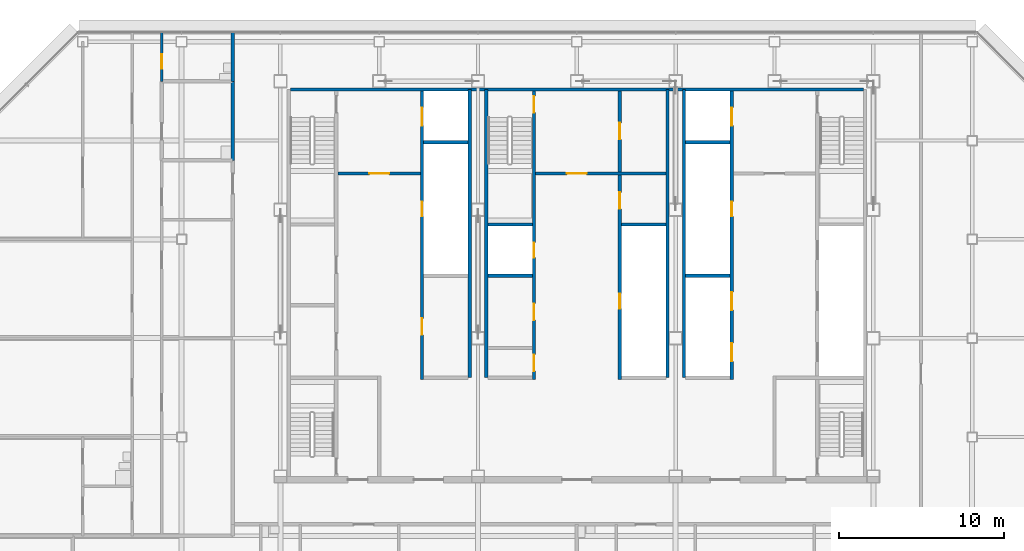
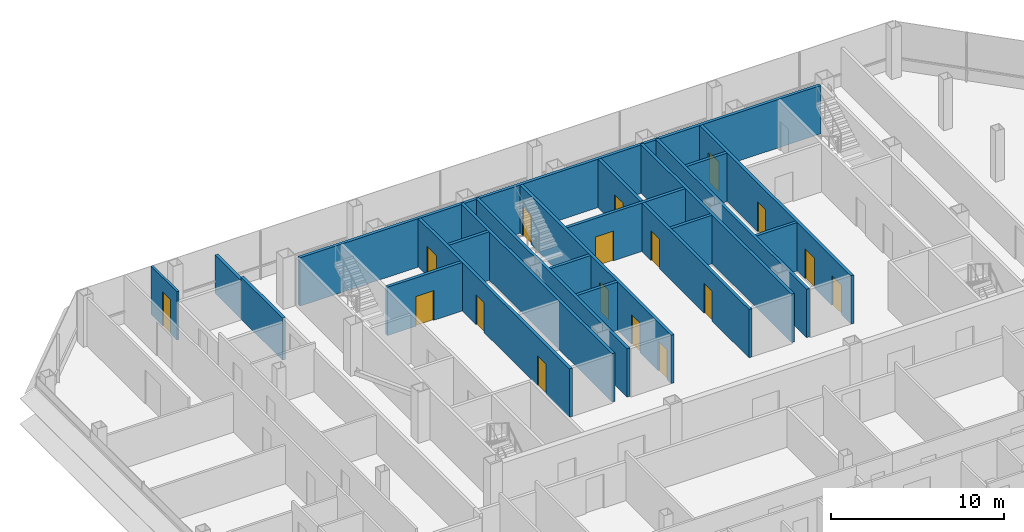
# One storey, part 23 of 27: 20 walls, 17 doors, 17 openings.
"""IFC4 building model written with IfcOpenShell, lengths in metres."""

from ifc_helpers import new_model, si_unit, direction, frame, frame_2d, origin, place, context, subcontext, project, spatial, rectangle, extrude, material, layer, layer_set, type_object, element, fill, save


model = new_model("IFC4")

# Units and contexts
model_context = context("Model", 3, precision=1e-05, world=origin(), true_north=direction((0.0, 1.0)))
body_context = subcontext(model_context, "Body", "Model", "MODEL_VIEW")
ifc_project = project(units=[si_unit("LENGTHUNIT", "METRE"), si_unit("AREAUNIT", "SQUARE_METRE"), si_unit("VOLUMEUNIT", "CUBIC_METRE"), si_unit("PLANEANGLEUNIT", "RADIAN"), si_unit("MASSUNIT", "GRAM", prefix="KILO")], contexts=[model_context])

# Site, building, storey
site_placement = place(None, origin())
site = spatial("IfcSite", under=ifc_project, at=site_placement, CompositionType="ELEMENT")
building_placement = place(site_placement, origin())
building = spatial("IfcBuilding", under=site, at=building_placement, Name="Sorahane Residences", CompositionType="ELEMENT")
storey_placement = place(building_placement, frame((0.0, 0.0, 226.199951171875)))
storey = spatial("IfcBuildingStorey", under=building, at=storey_placement, Name="L53", CompositionType="ELEMENT", Elevation=226.199951171875)

# Walls
ifc_material_1 = material(Name="Concrete C30", Category="concrete")
ifc_layer_1 = layer(ifc_material_1, 0.199951171875)
ifc_layer_set_1 = layer_set([ifc_layer_1], Name="Core face wall 200 EI 180")
wall_type_1 = type_object("IfcWallType", Name="Core face wall 200 EI 180", PredefinedType="SOLIDWALL", material=ifc_layer_set_1)
wall_1_placement = place(storey_placement, frame((6.60009765625, 45.10009765625, 0.0), z_axis=(0.0, 0.0, 1.0), x_axis=(1.0, 0.0, 0.0)))
element("IfcWall", 1, at=wall_1_placement, inside=storey, type_object=wall_type_1, Name="L53 core face wall", PredefinedType="SOLIDWALL", context=body_context, shape_type="SweptSolid", body=[
    extrude(rectangle(XDim=34.7998046875, YDim=0.199951171875, at=frame_2d((17.39990234375, 0.0))), origin(), (0.0, 0.0, 1.0), 3.420166015625),
])
for number, where, z_axis, x_axis, name in (
    (2, (17.5, 27.60009765625, 0.0), (0.0, 0.0, 1.0), (0.0, 1.0, 0.0), "L53 core face wall"),
    (3, (18.5, 27.60009765625, 0.0), (0.0, 0.0, 1.0), (0.0, 1.0, 0.0), "L53 core face wall"),
    (4, (29.5, 27.60009765625, 0.0), (0.0, 0.0, 1.0), (0.0, 1.0, 0.0), "L53 core face wall"),
    (5, (30.5, 27.60009765625, 0.0), (0.0, 0.0, 1.0), (0.0, 1.0, 0.0), "L53 core face wall"),
):
    element("IfcWall", number, at=place(storey_placement, frame(where, z_axis=z_axis, x_axis=x_axis)), inside=storey, type_object=wall_type_1, Name=name, PredefinedType="SOLIDWALL", context=body_context, shape_type="SweptSolid", body=[
        extrude(rectangle(XDim=17.5, YDim=0.199951171875, at=frame_2d((8.75, 0.0))), origin(), (0.0, 0.0, 1.0), 3.420166015625),
    ])
ifc_material_2 = material(Name="Concrete blockwork C20 wall", Category="masonry")
ifc_layer_2 = layer(ifc_material_2, 0.199951171875)
ifc_layer_set_2 = layer_set([ifc_layer_2], Name="Corridor wall 200 EI 120")
wall_type_2 = type_object("IfcWallType", Name="Corridor wall 200 EI 120", PredefinedType="SOLIDWALL", material=ifc_layer_set_2)
wall_2_placement = place(storey_placement, frame((3.10009765625, 45.60009765625, 0.0), z_axis=(0.0, 0.0, 1.0), x_axis=(0.0, 1.0, 0.0)))
element("IfcWall", 6, at=wall_2_placement, inside=storey, type_object=wall_type_2, Name="L53 corridor wall", PredefinedType="SOLIDWALL", context=body_context, shape_type="SweptSolid", body=[
    extrude(rectangle(XDim=3.0, YDim=0.199951171875, at=frame_2d((1.5, 0.0))), origin(), (0.0, 0.0, 1.0), 2.719970703125),
])

# Wall, opening, door
ifc_material_3 = material(Name="Concrete C30", Category="concrete")
ifc_layer_3 = layer(ifc_material_3, 0.199951171875)
ifc_layer_set_3 = layer_set([ifc_layer_3], Name="Front room wall 200 EI 120")
wall_type_3 = type_object("IfcWallType", Name="Front room wall 200 EI 120", PredefinedType="PARTITIONING", material=ifc_layer_set_3)
wall_3_placement = place(storey_placement, frame((21.5, 40.0, 0.0), z_axis=(0.0, 0.0, 1.0), x_axis=(1.0, 0.0, 0.0)))
wall_3 = element("IfcWall", 7, at=wall_3_placement, inside=storey, type_object=wall_type_3, Name="L53 front room wall", PredefinedType="PARTITIONING", context=body_context, shape_type="SweptSolid", body=[
    extrude(rectangle(XDim=7.89990234375, YDim=0.199951171875, at=frame_2d((3.949951171875, 0.0))), origin(), (0.0, 0.0, 1.0), 3.420166015625),
])
opening_1_placement = place(wall_3_placement, frame((1.89990234375, 0.0, 0.0)))
opening_1 = element("IfcOpeningElement", 8, at=opening_1_placement, cuts=wall_3, Name="Opening L53-C07", PredefinedType="OPENING", context=body_context, shape_type="SweptSolid", body=[
    extrude(rectangle(XDim=1.199951171875, YDim=2.10009765625, at=frame_2d((0.60009765625, 1.050048828125))), frame((0.0, 0.10986328125, 0.0), z_axis=(0.0, -1.0, 0.0), x_axis=(1.0, 0.0, 0.0)), (0.0, 0.0, 1.0), 0.219970703125),
])
ifc_material_4 = material(Name="Steel", Category="steel")
door_type_1 = type_object("IfcDoorType", Name="Front room door 1200x2100 FD120", OperationType="NOTDEFINED", PredefinedType="DOOR", material=ifc_material_4)
door_1_placement = place(opening_1_placement, frame((1.199951171875, 0.0, 0.0), z_axis=(0.0, 0.0, 1.0), x_axis=(-1.0, 0.0, 0.0)))
door_1 = element("IfcDoor", 9, at=door_1_placement, inside=storey, type_object=door_type_1, Name="Front room door Stair S3 vestibule L53", OperationType="DOUBLE_DOOR_SINGLE_SWING", OverallHeight=2.10009765625, OverallWidth=1.199951171875, PredefinedType="DOOR", context=body_context, shape_type="SweptSolid", body=[
    extrude(rectangle(XDim=1.199951171875, YDim=2.10009765625, at=frame_2d((0.60009765625, 1.050048828125))), frame((0.0, 0.02490234375, 0.0), z_axis=(0.0, -1.0, 0.0), x_axis=(1.0, 0.0, 0.0)), (0.0, 0.0, 1.0), 0.050048828125),
])
fill(opening_1, door_1)

wall_4_placement = place(storey_placement, frame((9.5, 40.0, 0.0), z_axis=(0.0, 0.0, 1.0), x_axis=(1.0, 0.0, 0.0)))
wall_4 = element("IfcWall", 10, at=wall_4_placement, inside=storey, type_object=wall_type_3, Name="L53 front room wall", PredefinedType="PARTITIONING", context=body_context, shape_type="SweptSolid", body=[
    extrude(rectangle(XDim=5.0, YDim=0.199951171875, at=frame_2d((2.5, 0.0))), origin(), (0.0, 0.0, 1.0), 3.420166015625),
])
opening_2_placement = place(wall_4_placement, frame((1.89990234375, 0.0, 0.0)))
opening_2 = element("IfcOpeningElement", 11, at=opening_2_placement, cuts=wall_4, Name="Opening L53-C06", PredefinedType="OPENING", context=body_context, shape_type="SweptSolid", body=[
    extrude(rectangle(XDim=1.199951171875, YDim=2.10009765625, at=frame_2d((0.60009765625, 1.050048828125))), frame((0.0, 0.10986328125, 0.0), z_axis=(0.0, -1.0, 0.0), x_axis=(1.0, 0.0, 0.0)), (0.0, 0.0, 1.0), 0.219970703125),
])
door_2_placement = place(opening_2_placement, frame((1.199951171875, 0.0, 0.0), z_axis=(0.0, 0.0, 1.0), x_axis=(-1.0, 0.0, 0.0)))
door_2 = element("IfcDoor", 12, at=door_2_placement, inside=storey, type_object=door_type_1, Name="Front room door Firefighting lobby FF1 front room L53", OperationType="DOUBLE_DOOR_SINGLE_SWING", OverallHeight=2.10009765625, OverallWidth=1.199951171875, PredefinedType="DOOR", context=body_context, shape_type="SweptSolid", body=[
    extrude(rectangle(XDim=1.199951171875, YDim=2.10009765625, at=frame_2d((0.60009765625, 1.050048828125))), frame((0.0, 0.02490234375, 0.0), z_axis=(0.0, -1.0, 0.0), x_axis=(1.0, 0.0, 0.0)), (0.0, 0.0, 1.0), 0.050048828125),
])
fill(opening_2, door_2)

# Wall
ifc_material_5 = material(Name="Concrete blockwork C20 wall", Category="masonry")
ifc_layer_4 = layer(ifc_material_5, 0.199951171875)
ifc_layer_set_4 = layer_set([ifc_layer_4], Name="Kitchen wall 200 EI 180")
wall_type_4 = type_object("IfcWallType", Name="Kitchen wall 200 EI 180", PredefinedType="SOLIDWALL", material=ifc_layer_set_4)
wall_5_placement = place(storey_placement, frame((3.10009765625, 40.800048828125, 0.0), z_axis=(0.0, 0.0, 1.0), x_axis=(0.0, 1.0, 0.0)))
element("IfcWall", 13, at=wall_5_placement, inside=storey, type_object=wall_type_4, Name="L53 kitchen wall", PredefinedType="SOLIDWALL", context=body_context, shape_type="SweptSolid", body=[
    extrude(rectangle(XDim=4.800048828125, YDim=0.199951171875, at=frame_2d((2.39990234375, 0.0))), origin(), (0.0, 0.0, 1.0), 2.969970703125),
])

# Wall, openings, doors
ifc_material_6 = material(Name="Concrete C30", Category="concrete")
ifc_layer_5 = layer(ifc_material_6, 0.199951171875)
ifc_layer_set_5 = layer_set([ifc_layer_5], Name="Lift shaft wall 200 EI 120")
wall_type_5 = type_object("IfcWallType", Name="Lift shaft wall 200 EI 120", PredefinedType="SOLIDWALL", material=ifc_layer_set_5)
wall_6_placement = place(storey_placement, frame((14.60009765625, 27.5, 0.0), z_axis=(0.0, 0.0, 1.0), x_axis=(0.0, 1.0, 0.0)))
wall_6 = element("IfcWall", 14, at=wall_6_placement, inside=storey, type_object=wall_type_5, Name="L53 lift shaft wall", PredefinedType="SOLIDWALL", context=body_context, shape_type="SweptSolid", body=[
    extrude(rectangle(XDim=17.5, YDim=0.199951171875, at=frame_2d((8.75, 0.0))), origin(), (0.0, 0.0, 1.0), 3.420166015625),
])
opening_3_placement = place(wall_6_placement, frame((15.39990234375, 0.0, 0.0)))
opening_3 = element("IfcOpeningElement", 15, at=opening_3_placement, cuts=wall_6, Name="Opening L53-C15", PredefinedType="OPENING", context=body_context, shape_type="SweptSolid", body=[
    extrude(rectangle(XDim=1.10009765625, YDim=2.10009765625, at=frame_2d((0.550048828125, 1.050048828125))), frame((0.0, 0.10986328125, 0.0), z_axis=(0.0, -1.0, 0.0), x_axis=(1.0, 0.0, 0.0)), (0.0, 0.0, 1.0), 0.219970703125),
])
opening_4_placement = place(wall_6_placement, frame((2.699951171875, 0.0, 0.0)))
opening_4 = element("IfcOpeningElement", 16, at=opening_4_placement, cuts=wall_6, Name="Opening L53-C18", PredefinedType="OPENING", context=body_context, shape_type="SweptSolid", body=[
    extrude(rectangle(XDim=1.0, YDim=2.10009765625, at=frame_2d((0.5, 1.050048828125))), frame((0.0, 0.10986328125, 0.0), z_axis=(0.0, -1.0, 0.0), x_axis=(1.0, 0.0, 0.0)), (0.0, 0.0, 1.0), 0.219970703125),
])
opening_5_placement = place(wall_6_placement, frame((9.89990234375, 0.0, 0.0)))
opening_5 = element("IfcOpeningElement", 17, at=opening_5_placement, cuts=wall_6, Name="Opening L53-C26", PredefinedType="OPENING", context=body_context, shape_type="SweptSolid", body=[
    extrude(rectangle(XDim=0.89990234375, YDim=2.10009765625, at=frame_2d((0.449951171875, 1.050048828125))), frame((0.0, 0.10986328125, 0.0), z_axis=(0.0, -1.0, 0.0), x_axis=(1.0, 0.0, 0.0)), (0.0, 0.0, 1.0), 0.219970703125),
])
ifc_material_7 = material(Name="Aluminium and stainless steel", Category="steel")
door_type_2 = type_object("IfcDoorType", Name="Lift landing door 1100x2100 E 60", OperationType="NOTDEFINED", PredefinedType="DOOR", material=ifc_material_7)
door_3_placement = place(opening_3_placement, origin())
door_3 = element("IfcDoor", 18, at=door_3_placement, inside=storey, type_object=door_type_2, Name="Lift landing door FF1 L53", OperationType="DOUBLE_DOOR_SLIDING", OverallHeight=2.10009765625, OverallWidth=1.10009765625, PredefinedType="DOOR", context=body_context, shape_type="SweptSolid", body=[
    extrude(rectangle(XDim=1.10009765625, YDim=2.10009765625, at=frame_2d((0.550048828125, 1.050048828125))), frame((0.0, 0.02490234375, 0.0), z_axis=(0.0, -1.0, 0.0), x_axis=(1.0, 0.0, 0.0)), (0.0, 0.0, 1.0), 0.050048828125),
])
fill(opening_3, door_3)
ifc_material_8 = material(Name="Steel", Category="steel")
door_type_3 = type_object("IfcDoorType", Name="Riser door 900x2100 FD120", OperationType="NOTDEFINED", PredefinedType="DOOR", material=ifc_material_8)
door_4_placement = place(opening_5_placement, origin())
door_4 = element("IfcDoor", 19, at=door_4_placement, inside=storey, type_object=door_type_3, Name="Riser door R1 L53", OperationType="SINGLE_SWING_LEFT", OverallHeight=2.10009765625, OverallWidth=0.89990234375, PredefinedType="DOOR", context=body_context, shape_type="SweptSolid", body=[
    extrude(rectangle(XDim=0.89990234375, YDim=2.10009765625, at=frame_2d((0.449951171875, 1.050048828125))), frame((0.0, 0.02490234375, 0.0), z_axis=(0.0, -1.0, 0.0), x_axis=(1.0, 0.0, 0.0)), (0.0, 0.0, 1.0), 0.050048828125),
])
fill(opening_5, door_4)
ifc_material_9 = material(Name="Steel", Category="steel")
door_type_4 = type_object("IfcDoorType", Name="Service room door 1000x2100 FD60", OperationType="NOTDEFINED", PredefinedType="DOOR", material=ifc_material_9)
door_5_placement = place(opening_4_placement, frame((1.0, 0.0, 0.0), z_axis=(0.0, 0.0, 1.0), x_axis=(-1.0, 0.0, 0.0)))
door_5 = element("IfcDoor", 20, at=door_5_placement, inside=storey, type_object=door_type_4, Name="Service room door Tea room L53", OperationType="SINGLE_SWING_RIGHT", OverallHeight=2.10009765625, OverallWidth=1.0, PredefinedType="DOOR", context=body_context, shape_type="SweptSolid", body=[
    extrude(rectangle(XDim=1.0, YDim=2.10009765625, at=frame_2d((0.5, 1.050048828125))), frame((0.0, 0.02490234375, 0.0), z_axis=(0.0, -1.0, 0.0), x_axis=(1.0, 0.0, 0.0)), (0.0, 0.0, 1.0), 0.050048828125),
])
fill(opening_4, door_5)

wall_7_placement = place(storey_placement, frame((33.39990234375, 27.5, 0.0), z_axis=(0.0, 0.0, 1.0), x_axis=(0.0, 1.0, 0.0)))
wall_7 = element("IfcWall", 21, at=wall_7_placement, inside=storey, type_object=wall_type_5, Name="L53 lift shaft wall", PredefinedType="SOLIDWALL", context=body_context, shape_type="SweptSolid", body=[
    extrude(rectangle(XDim=17.5, YDim=0.199951171875, at=frame_2d((8.75, 0.0))), origin(), (0.0, 0.0, 1.0), 3.420166015625),
])
opening_6_placement = place(wall_7_placement, frame((1.10009765625, 0.0, 0.0)))
opening_6 = element("IfcOpeningElement", 22, at=opening_6_placement, cuts=wall_7, Name="Opening L53-C12", PredefinedType="OPENING", context=body_context, shape_type="SweptSolid", body=[
    extrude(rectangle(XDim=1.10009765625, YDim=2.10009765625, at=frame_2d((0.550048828125, 1.050048828125))), frame((0.0, 0.10986328125, 0.0), z_axis=(0.0, -1.0, 0.0), x_axis=(1.0, 0.0, 0.0)), (0.0, 0.0, 1.0), 0.219970703125),
])
opening_7_placement = place(wall_7_placement, frame((4.199951171875, 0.0, 0.0)))
opening_7 = element("IfcOpeningElement", 23, at=opening_7_placement, cuts=wall_7, Name="Opening L53-C13", PredefinedType="OPENING", context=body_context, shape_type="SweptSolid", body=[
    extrude(rectangle(XDim=1.10009765625, YDim=2.10009765625, at=frame_2d((0.550048828125, 1.050048828125))), frame((0.0, 0.10986328125, 0.0), z_axis=(0.0, -1.0, 0.0), x_axis=(1.0, 0.0, 0.0)), (0.0, 0.0, 1.0), 0.219970703125),
])
opening_8_placement = place(wall_7_placement, frame((15.39990234375, 0.0, 0.0)))
opening_8 = element("IfcOpeningElement", 24, at=opening_8_placement, cuts=wall_7, Name="Opening L53-C14", PredefinedType="OPENING", context=body_context, shape_type="SweptSolid", body=[
    extrude(rectangle(XDim=1.10009765625, YDim=2.10009765625, at=frame_2d((0.550048828125, 1.050048828125))), frame((0.0, 0.10986328125, 0.0), z_axis=(0.0, -1.0, 0.0), x_axis=(1.0, 0.0, 0.0)), (0.0, 0.0, 1.0), 0.219970703125),
])
opening_9_placement = place(wall_7_placement, frame((9.89990234375, 0.0, 0.0)))
opening_9 = element("IfcOpeningElement", 25, at=opening_9_placement, cuts=wall_7, Name="Opening L53-C27", PredefinedType="OPENING", context=body_context, shape_type="SweptSolid", body=[
    extrude(rectangle(XDim=0.89990234375, YDim=2.10009765625, at=frame_2d((0.449951171875, 1.050048828125))), frame((0.0, 0.10986328125, 0.0), z_axis=(0.0, -1.0, 0.0), x_axis=(1.0, 0.0, 0.0)), (0.0, 0.0, 1.0), 0.219970703125),
])
door_6_placement = place(opening_6_placement, origin())
door_6 = element("IfcDoor", 26, at=door_6_placement, inside=storey, type_object=door_type_2, Name="Lift landing door HR4 L53", OperationType="DOUBLE_DOOR_SLIDING", OverallHeight=2.10009765625, OverallWidth=1.10009765625, PredefinedType="DOOR", context=body_context, shape_type="SweptSolid", body=[
    extrude(rectangle(XDim=1.10009765625, YDim=2.10009765625, at=frame_2d((0.550048828125, 1.050048828125))), frame((0.0, 0.02490234375, 0.0), z_axis=(0.0, -1.0, 0.0), x_axis=(1.0, 0.0, 0.0)), (0.0, 0.0, 1.0), 0.050048828125),
])
fill(opening_6, door_6)
door_7_placement = place(opening_7_placement, origin())
door_7 = element("IfcDoor", 27, at=door_7_placement, inside=storey, type_object=door_type_2, Name="Lift landing door HR5 L53", OperationType="DOUBLE_DOOR_SLIDING", OverallHeight=2.10009765625, OverallWidth=1.10009765625, PredefinedType="DOOR", context=body_context, shape_type="SweptSolid", body=[
    extrude(rectangle(XDim=1.10009765625, YDim=2.10009765625, at=frame_2d((0.550048828125, 1.050048828125))), frame((0.0, 0.02490234375, 0.0), z_axis=(0.0, -1.0, 0.0), x_axis=(1.0, 0.0, 0.0)), (0.0, 0.0, 1.0), 0.050048828125),
])
fill(opening_7, door_7)
door_8_placement = place(opening_8_placement, origin())
door_8 = element("IfcDoor", 28, at=door_8_placement, inside=storey, type_object=door_type_2, Name="Lift landing door FF2 L53", OperationType="DOUBLE_DOOR_SLIDING", OverallHeight=2.10009765625, OverallWidth=1.10009765625, PredefinedType="DOOR", context=body_context, shape_type="SweptSolid", body=[
    extrude(rectangle(XDim=1.10009765625, YDim=2.10009765625, at=frame_2d((0.550048828125, 1.050048828125))), frame((0.0, 0.02490234375, 0.0), z_axis=(0.0, -1.0, 0.0), x_axis=(1.0, 0.0, 0.0)), (0.0, 0.0, 1.0), 0.050048828125),
])
fill(opening_8, door_8)
door_9_placement = place(opening_9_placement, frame((0.89990234375, 0.0, 0.0), z_axis=(0.0, 0.0, 1.0), x_axis=(-1.0, 0.0, 0.0)))
door_9 = element("IfcDoor", 29, at=door_9_placement, inside=storey, type_object=door_type_3, Name="Riser door R2 L53", OperationType="SINGLE_SWING_LEFT", OverallHeight=2.10009765625, OverallWidth=0.89990234375, PredefinedType="DOOR", context=body_context, shape_type="SweptSolid", body=[
    extrude(rectangle(XDim=0.89990234375, YDim=2.10009765625, at=frame_2d((0.449951171875, 1.050048828125))), frame((0.0, 0.02490234375, 0.0), z_axis=(0.0, -1.0, 0.0), x_axis=(1.0, 0.0, 0.0)), (0.0, 0.0, 1.0), 0.050048828125),
])
fill(opening_9, door_9)

# Walls
for number, where, z_axis, x_axis, name in (
    (30, (30.60009765625, 33.800048828125, 0.0), (0.0, 0.0, 1.0), (1.0, 0.0, 0.0), "L53 lift shaft wall"),
    (31, (14.699951171875, 41.89990234375, 0.0), (0.0, 0.0, 1.0), (1.0, 0.0, 0.0), "L53 lift shaft wall"),
    (32, (30.60009765625, 41.89990234375, 0.0), (0.0, 0.0, 1.0), (1.0, 0.0, 0.0), "L53 lift shaft wall"),
):
    element("IfcWall", number, at=place(storey_placement, frame(where, z_axis=z_axis, x_axis=x_axis)), inside=storey, type_object=wall_type_5, Name=name, PredefinedType="SOLIDWALL", context=body_context, shape_type="SweptSolid", body=[
        extrude(rectangle(XDim=2.699951171875, YDim=0.199951171875, at=frame_2d((1.35009765625, 0.0))), origin(), (0.0, 0.0, 1.0), 3.420166015625),
    ])

# Wall, openings, doors
ifc_material_10 = material(Name="Concrete C30", Category="concrete")
ifc_layer_6 = layer(ifc_material_10, 0.199951171875)
ifc_layer_set_6 = layer_set([ifc_layer_6], Name="Riser shaft wall 200 EI 120")
wall_type_6 = type_object("IfcWallType", Name="Riser shaft wall 200 EI 120", PredefinedType="SOLIDWALL", material=ifc_layer_set_6)
wall_8_placement = place(storey_placement, frame((26.60009765625, 27.5, 0.0), z_axis=(0.0, 0.0, 1.0), x_axis=(0.0, 1.0, 0.0)))
wall_8 = element("IfcWall", 33, at=wall_8_placement, inside=storey, type_object=wall_type_6, Name="L53 riser wall", PredefinedType="SOLIDWALL", context=body_context, shape_type="SweptSolid", body=[
    extrude(rectangle(XDim=17.5, YDim=0.199951171875, at=frame_2d((8.75, 0.0))), origin(), (0.0, 0.0, 1.0), 3.420166015625),
])
opening_10_placement = place(wall_8_placement, frame((4.300048828125, 0.0, 0.0)))
opening_10 = element("IfcOpeningElement", 34, at=opening_10_placement, cuts=wall_8, Name="Opening L53-C29", PredefinedType="OPENING", context=body_context, shape_type="SweptSolid", body=[
    extrude(rectangle(XDim=0.89990234375, YDim=2.10009765625, at=frame_2d((0.449951171875, 1.050048828125))), frame((0.0, 0.10986328125, 0.0), z_axis=(0.0, -1.0, 0.0), x_axis=(1.0, 0.0, 0.0)), (0.0, 0.0, 1.0), 0.219970703125),
])
opening_11_placement = place(wall_8_placement, frame((10.35009765625, 0.0, 0.0)))
opening_11 = element("IfcOpeningElement", 35, at=opening_11_placement, cuts=wall_8, Name="Opening L53-C30", PredefinedType="OPENING", context=body_context, shape_type="SweptSolid", body=[
    extrude(rectangle(XDim=1.0, YDim=2.10009765625, at=frame_2d((0.5, 1.050048828125))), frame((0.0, 0.10986328125, 0.0), z_axis=(0.0, -1.0, 0.0), x_axis=(1.0, 0.0, 0.0)), (0.0, 0.0, 1.0), 0.219970703125),
])
opening_12_placement = place(wall_8_placement, frame((14.574951171875, 0.0, 0.0)))
opening_12 = element("IfcOpeningElement", 36, at=opening_12_placement, cuts=wall_8, Name="Opening L53-C31", PredefinedType="OPENING", context=body_context, shape_type="SweptSolid", body=[
    extrude(rectangle(XDim=1.0, YDim=2.10009765625, at=frame_2d((0.5, 1.050048828125))), frame((0.0, 0.10986328125, 0.0), z_axis=(0.0, -1.0, 0.0), x_axis=(1.0, 0.0, 0.0)), (0.0, 0.0, 1.0), 0.219970703125),
])
door_10_placement = place(opening_10_placement, origin())
door_10 = element("IfcDoor", 37, at=door_10_placement, inside=storey, type_object=door_type_3, Name="Riser door R4 L53", OperationType="SINGLE_SWING_LEFT", OverallHeight=2.10009765625, OverallWidth=0.89990234375, PredefinedType="DOOR", context=body_context, shape_type="SweptSolid", body=[
    extrude(rectangle(XDim=0.89990234375, YDim=2.10009765625, at=frame_2d((0.449951171875, 1.050048828125))), frame((0.0, 0.02490234375, 0.0), z_axis=(0.0, -1.0, 0.0), x_axis=(1.0, 0.0, 0.0)), (0.0, 0.0, 1.0), 0.050048828125),
])
fill(opening_10, door_10)
door_11_placement = place(opening_11_placement, frame((1.0, 0.0, 0.0), z_axis=(0.0, 0.0, 1.0), x_axis=(-1.0, 0.0, 0.0)))
door_11 = element("IfcDoor", 38, at=door_11_placement, inside=storey, type_object=door_type_4, Name="Service room door Linen room L53", OperationType="SINGLE_SWING_LEFT", OverallHeight=2.10009765625, OverallWidth=1.0, PredefinedType="DOOR", context=body_context, shape_type="SweptSolid", body=[
    extrude(rectangle(XDim=1.0, YDim=2.10009765625, at=frame_2d((0.5, 1.050048828125))), frame((0.0, 0.02490234375, 0.0), z_axis=(0.0, -1.0, 0.0), x_axis=(1.0, 0.0, 0.0)), (0.0, 0.0, 1.0), 0.050048828125),
])
fill(opening_11, door_11)
door_12_placement = place(opening_12_placement, frame((1.0, 0.0, 0.0), z_axis=(0.0, 0.0, 1.0), x_axis=(-1.0, 0.0, 0.0)))
door_12 = element("IfcDoor", 39, at=door_12_placement, inside=storey, type_object=door_type_4, Name="Service room door Cleaners' store L53", OperationType="SINGLE_SWING_LEFT", OverallHeight=2.10009765625, OverallWidth=1.0, PredefinedType="DOOR", context=body_context, shape_type="SweptSolid", body=[
    extrude(rectangle(XDim=1.0, YDim=2.10009765625, at=frame_2d((0.5, 1.050048828125))), frame((0.0, 0.02490234375, 0.0), z_axis=(0.0, -1.0, 0.0), x_axis=(1.0, 0.0, 0.0)), (0.0, 0.0, 1.0), 0.050048828125),
])
fill(opening_12, door_12)

# Walls
for number, where, z_axis, x_axis, name in (
    (40, (18.60009765625, 33.800048828125, 0.0), (0.0, 0.0, 1.0), (1.0, 0.0, 0.0), "L53 riser wall"),
    (41, (26.699951171875, 36.89990234375, 0.0), (0.0, 0.0, 1.0), (1.0, 0.0, 0.0), "L53 riser wall"),
):
    element("IfcWall", number, at=place(storey_placement, frame(where, z_axis=z_axis, x_axis=x_axis)), inside=storey, type_object=wall_type_6, Name=name, PredefinedType="SOLIDWALL", context=body_context, shape_type="SweptSolid", body=[
        extrude(rectangle(XDim=2.699951171875, YDim=0.199951171875, at=frame_2d((1.35009765625, 0.0))), origin(), (0.0, 0.0, 1.0), 3.420166015625),
    ])

# Wall, openings, doors
ifc_material_11 = material(Name="Concrete C30", Category="concrete")
ifc_layer_7 = layer(ifc_material_11, 0.199951171875)
ifc_layer_set_7 = layer_set([ifc_layer_7], Name="Stair enclosure wall 200 EI 120")
wall_type_7 = type_object("IfcWallType", Name="Stair enclosure wall 200 EI 120", PredefinedType="SOLIDWALL", material=ifc_layer_set_7)
wall_9_placement = place(storey_placement, frame((21.39990234375, 27.5, 0.0), z_axis=(0.0, 0.0, 1.0), x_axis=(0.0, 1.0, 0.0)))
wall_9 = element("IfcWall", 42, at=wall_9_placement, inside=storey, type_object=wall_type_7, Name="L53 stair enclosure wall", PredefinedType="SOLIDWALL", context=body_context, shape_type="SweptSolid", body=[
    extrude(rectangle(XDim=17.5, YDim=0.199951171875, at=frame_2d((8.75, 0.0))), origin(), (0.0, 0.0, 1.0), 3.420166015625),
])
opening_13_placement = place(wall_9_placement, frame((0.5, 0.0, 0.0)))
opening_13 = element("IfcOpeningElement", 43, at=opening_13_placement, cuts=wall_9, Name="Opening L53-C16", PredefinedType="OPENING", context=body_context, shape_type="SweptSolid", body=[
    extrude(rectangle(XDim=1.0, YDim=2.10009765625, at=frame_2d((0.5, 1.050048828125))), frame((0.0, 0.10986328125, 0.0), z_axis=(0.0, -1.0, 0.0), x_axis=(1.0, 0.0, 0.0)), (0.0, 0.0, 1.0), 0.219970703125),
])
opening_14_placement = place(wall_9_placement, frame((3.60009765625, 0.0, 0.0)))
opening_14 = element("IfcOpeningElement", 44, at=opening_14_placement, cuts=wall_9, Name="Opening L53-C17", PredefinedType="OPENING", context=body_context, shape_type="SweptSolid", body=[
    extrude(rectangle(XDim=1.0, YDim=2.10009765625, at=frame_2d((0.5, 1.050048828125))), frame((0.0, 0.10986328125, 0.0), z_axis=(0.0, -1.0, 0.0), x_axis=(1.0, 0.0, 0.0)), (0.0, 0.0, 1.0), 0.219970703125),
])
opening_15_placement = place(wall_9_placement, frame((16.199951171875, 0.0, 0.0)))
opening_15 = element("IfcOpeningElement", 45, at=opening_15_placement, cuts=wall_9, Name="Opening L53-C23", PredefinedType="OPENING", context=body_context, shape_type="SweptSolid", body=[
    extrude(rectangle(XDim=1.0, YDim=2.10009765625, at=frame_2d((0.5, 1.050048828125))), frame((0.0, 0.10986328125, 0.0), z_axis=(0.0, -1.0, 0.0), x_axis=(1.0, 0.0, 0.0)), (0.0, 0.0, 1.0), 0.219970703125),
])
opening_16_placement = place(wall_9_placement, frame((7.39990234375, 0.0, 0.0)))
opening_16 = element("IfcOpeningElement", 46, at=opening_16_placement, cuts=wall_9, Name="Opening L53-C28", PredefinedType="OPENING", context=body_context, shape_type="SweptSolid", body=[
    extrude(rectangle(XDim=0.89990234375, YDim=2.10009765625, at=frame_2d((0.449951171875, 1.050048828125))), frame((0.0, 0.10986328125, 0.0), z_axis=(0.0, -1.0, 0.0), x_axis=(1.0, 0.0, 0.0)), (0.0, 0.0, 1.0), 0.219970703125),
])
door_13_placement = place(opening_16_placement, frame((0.89990234375, 0.0, 0.0), z_axis=(0.0, 0.0, 1.0), x_axis=(-1.0, 0.0, 0.0)))
door_13 = element("IfcDoor", 47, at=door_13_placement, inside=storey, type_object=door_type_3, Name="Riser door R3 L53", OperationType="SINGLE_SWING_LEFT", OverallHeight=2.10009765625, OverallWidth=0.89990234375, PredefinedType="DOOR", context=body_context, shape_type="SweptSolid", body=[
    extrude(rectangle(XDim=0.89990234375, YDim=2.10009765625, at=frame_2d((0.449951171875, 1.050048828125))), frame((0.0, 0.02490234375, 0.0), z_axis=(0.0, -1.0, 0.0), x_axis=(1.0, 0.0, 0.0)), (0.0, 0.0, 1.0), 0.050048828125),
])
fill(opening_16, door_13)
door_14_placement = place(opening_13_placement, origin())
door_14 = element("IfcDoor", 48, at=door_14_placement, inside=storey, type_object=door_type_4, Name="Service room door Tea store L53", OperationType="SINGLE_SWING_RIGHT", OverallHeight=2.10009765625, OverallWidth=1.0, PredefinedType="DOOR", context=body_context, shape_type="SweptSolid", body=[
    extrude(rectangle(XDim=1.0, YDim=2.10009765625, at=frame_2d((0.5, 1.050048828125))), frame((0.0, 0.02490234375, 0.0), z_axis=(0.0, -1.0, 0.0), x_axis=(1.0, 0.0, 0.0)), (0.0, 0.0, 1.0), 0.050048828125),
])
fill(opening_13, door_14)
door_15_placement = place(opening_14_placement, origin())
door_15 = element("IfcDoor", 49, at=door_15_placement, inside=storey, type_object=door_type_4, Name="Service room door Library L53", OperationType="SINGLE_SWING_LEFT", OverallHeight=2.10009765625, OverallWidth=1.0, PredefinedType="DOOR", context=body_context, shape_type="SweptSolid", body=[
    extrude(rectangle(XDim=1.0, YDim=2.10009765625, at=frame_2d((0.5, 1.050048828125))), frame((0.0, 0.02490234375, 0.0), z_axis=(0.0, -1.0, 0.0), x_axis=(1.0, 0.0, 0.0)), (0.0, 0.0, 1.0), 0.050048828125),
])
fill(opening_14, door_15)
ifc_material_12 = material(Name="Steel", Category="steel")
door_type_5 = type_object("IfcDoorType", Name="Stair door 1000x2100 FD120", OperationType="NOTDEFINED", PredefinedType="DOOR", material=ifc_material_12)
door_16_placement = place(opening_15_placement, origin())
door_16 = element("IfcDoor", 50, at=door_16_placement, inside=storey, type_object=door_type_5, Name="Stair door S3 L53", OperationType="SINGLE_SWING_LEFT", OverallHeight=2.10009765625, OverallWidth=1.0, PredefinedType="DOOR", context=body_context, shape_type="SweptSolid", body=[
    extrude(rectangle(XDim=1.0, YDim=2.10009765625, at=frame_2d((0.5, 1.050048828125))), frame((0.0, 0.02490234375, 0.0), z_axis=(0.0, -1.0, 0.0), x_axis=(1.0, 0.0, 0.0)), (0.0, 0.0, 1.0), 0.050048828125),
])
fill(opening_15, door_16)

# Wall
wall_10_placement = place(storey_placement, frame((18.60009765625, 36.89990234375, 0.0), z_axis=(0.0, 0.0, 1.0), x_axis=(1.0, 0.0, 0.0)))
element("IfcWall", 51, at=wall_10_placement, inside=storey, type_object=wall_type_7, Name="L53 stair enclosure wall", PredefinedType="SOLIDWALL", context=body_context, shape_type="SweptSolid", body=[
    extrude(rectangle(XDim=2.699951171875, YDim=0.199951171875, at=frame_2d((1.35009765625, 0.0))), origin(), (0.0, 0.0, 1.0), 3.420166015625),
])

# Wall, opening, door
ifc_material_13 = material(Name="Gypsum board partition on steel studs", Category="steel")
ifc_layer_8 = layer(ifc_material_13, 0.14990234375)
ifc_layer_set_8 = layer_set([ifc_layer_8], Name="Wet wall 150 EI 90")
wall_type_8 = type_object("IfcWallType", Name="Wet wall 150 EI 90", PredefinedType="PARTITIONING", material=ifc_layer_set_8)
wall_11_placement = place(storey_placement, frame((-1.199951171875, 45.60009765625, 0.0), z_axis=(0.0, 0.0, 1.0), x_axis=(0.0, 1.0, 0.0)))
wall_11 = element("IfcWall", 52, at=wall_11_placement, inside=storey, type_object=wall_type_8, Name="L53 wet wall", PredefinedType="PARTITIONING", context=body_context, shape_type="SweptSolid", body=[
    extrude(rectangle(XDim=3.0, YDim=0.14990234375, at=frame_2d((1.5, 0.0))), origin(), (0.0, 0.0, 1.0), 3.420166015625),
])
opening_17_placement = place(wall_11_placement, frame((0.75, 0.0, 0.0)))
opening_17 = element("IfcOpeningElement", 53, at=opening_17_placement, cuts=wall_11, Name="Opening L53-34", PredefinedType="OPENING", context=body_context, shape_type="SweptSolid", body=[
    extrude(rectangle(XDim=0.89990234375, YDim=2.39990234375, at=frame_2d((0.449951171875, 1.199951171875))), frame((0.0, 0.0849609375, 0.0), z_axis=(0.0, -1.0, 0.0), x_axis=(1.0, 0.0, 0.0)), (0.0, 0.0, 1.0), 0.169921875),
])
ifc_material_14 = material(Name="Timber veneered fire door", Category="wood")
door_type_6 = type_object("IfcDoorType", Name="Bathroom door 900x2400 FD30", OperationType="NOTDEFINED", PredefinedType="DOOR", material=ifc_material_14)
door_17_placement = place(opening_17_placement, origin())
door_17 = element("IfcDoor", 54, at=door_17_placement, inside=storey, type_object=door_type_6, Name="Bathroom door L53-34", OperationType="SINGLE_SWING_RIGHT", OverallHeight=2.39990234375, OverallWidth=0.89990234375, PredefinedType="DOOR", context=body_context, shape_type="SweptSolid", body=[
    extrude(rectangle(XDim=0.89990234375, YDim=2.39990234375, at=frame_2d((0.449951171875, 1.199951171875))), frame((0.0, 0.02490234375, 0.0), z_axis=(0.0, -1.0, 0.0), x_axis=(1.0, 0.0, 0.0)), (0.0, 0.0, 1.0), 0.050048828125),
])
fill(opening_17, door_17)

save(model, "model.ifc")
